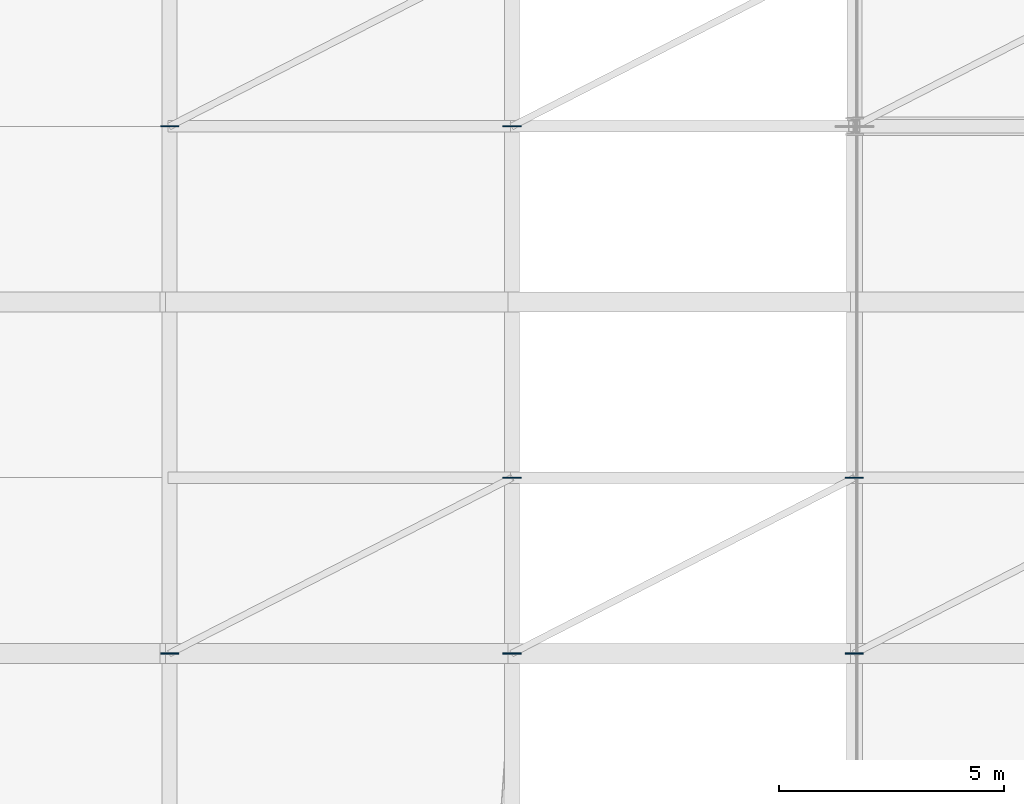
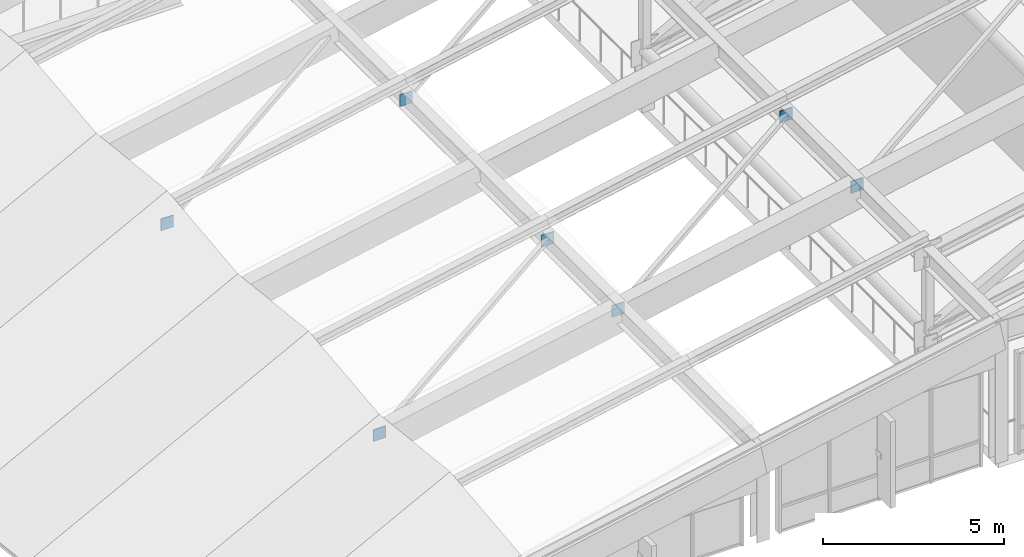
# One storey, part 44 of 73: 7 plates.
"""IFC4 building model written with IfcOpenShell, lengths in metres."""

from ifc_helpers import new_model, si_unit, direction, frame, origin, origin_2d, place, context, subcontext, project, spatial, rectangle, extrude, material, layer, layer_set, type_object, element, save


model = new_model("IFC4")

# Units and contexts
model_context = context("Model", 3, precision=1e-05, world=origin(), true_north=direction((0.0, 1.0)))
body_context = subcontext(model_context, "Body", "Model", "MODEL_VIEW")
ifc_project = project(units=[si_unit("LENGTHUNIT", "METRE"), si_unit("AREAUNIT", "SQUARE_METRE"), si_unit("VOLUMEUNIT", "CUBIC_METRE"), si_unit("PLANEANGLEUNIT", "RADIAN"), si_unit("MASSUNIT", "GRAM", prefix="KILO")], contexts=[model_context])

# Site, building, storey
site_placement = place(None, origin())
site = spatial("IfcSite", under=ifc_project, at=site_placement, CompositionType="ELEMENT")
building_placement = place(site_placement, origin())
building = spatial("IfcBuilding", under=site, at=building_placement, Name="Vervanel Yard Central Library", CompositionType="ELEMENT")
storey_placement = place(building_placement, frame((0.0, 0.0, 12.780029296875)))
storey = spatial("IfcBuildingStorey", under=building, at=storey_placement, Name="L03", CompositionType="ELEMENT", Elevation=12.780029296875)

# Plates
ifc_material = material(Name="Steel ASTM A572 Grade 50", Category="steel")
ifc_layer = layer(ifc_material, 0.028076171875, Category="steel")
ifc_layer_set = layer_set([ifc_layer], Name="Steel ASTM A572 Grade 50")
plate_type = type_object("IfcPlateType", Name="Brace End Cap Plate 28", PredefinedType="SHEET", material=ifc_layer_set)
for number, where, z_axis, x_axis, name in (
    (1, (108.0, 51.0, 1.239990234375), (0.0, 0.0, 1.0), (1.0, 0.0, 0.0), "Shell Diaphragm Brace End Cap B3-2-1"),
    (2, (115.60009765625, 54.89990234375, 2.757080078125), (0.0, 0.0, 1.0), (1.0, 0.0, 0.0), "Shell Diaphragm Brace End Cap B3-2-2"),
    (3, (108.0, 62.699951171875, 1.239990234375), (0.0, 0.0, 1.0), (1.0, 0.0, 0.0), "Shell Diaphragm Brace End Cap B3-5-1"),
    (4, (115.60009765625, 51.0, 2.757080078125), (0.0, 0.0, 1.0), (1.0, 0.0, 0.0), "Shell Diaphragm Brace End Cap B4-2-1"),
    (5, (123.199951171875, 54.89990234375, 4.274169921875), (0.0, 0.0, 1.0), (1.0, 0.0, 0.0), "Shell Diaphragm Brace End Cap B4-2-2"),
    (6, (115.60009765625, 62.699951171875, 2.757080078125), (0.0, 0.0, 1.0), (1.0, 0.0, 0.0), "Shell Diaphragm Brace End Cap B4-5-1"),
    (7, (123.199951171875, 51.0, 4.274169921875), (0.0, 0.0, 1.0), (1.0, 0.0, 0.0), "Shell Diaphragm Brace End Cap B5-2-1"),
):
    element("IfcPlate", number, at=place(storey_placement, frame(where, z_axis=z_axis, x_axis=x_axis)), inside=storey, type_object=plate_type, Name=name, PredefinedType="SHEET", context=body_context, shape_type="SweptSolid", body=[
        extrude(rectangle(XDim=0.39990234375, YDim=0.028076171875, at=origin_2d()), origin(), (0.0, 0.0, 1.0), 0.39990234375),
    ])

save(model, "model.ifc")
